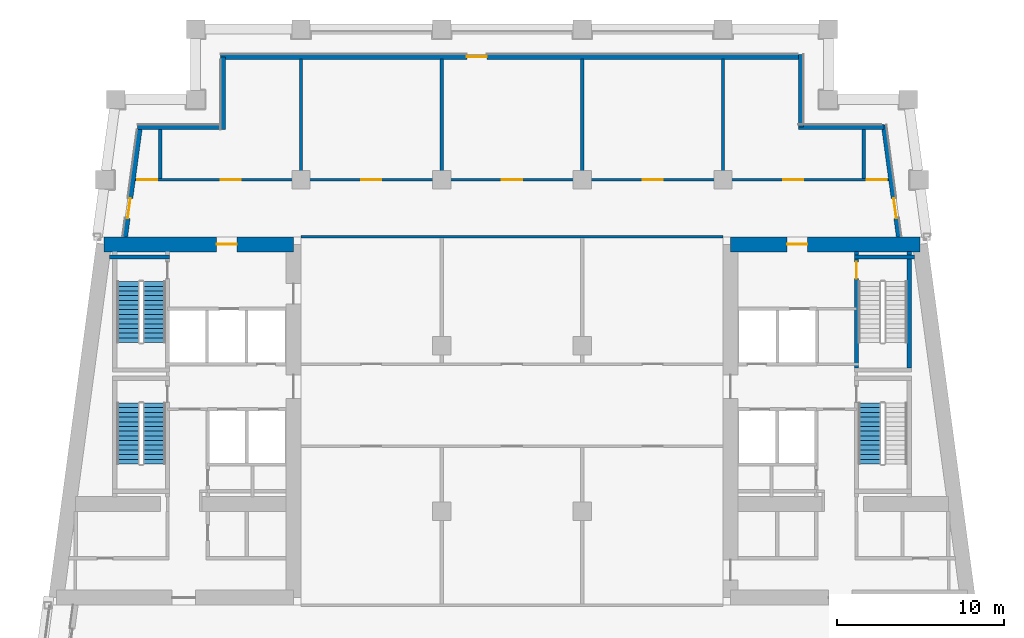
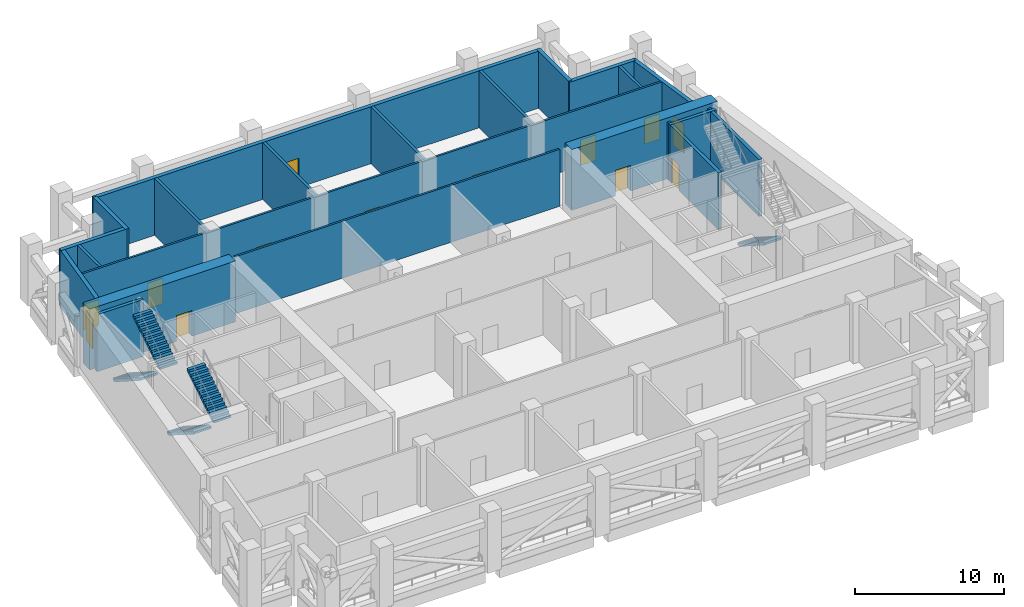
# One storey, part 7 of 12: 21 walls, 13 doors, 5 stair flights, 13 openings, 3 elements without a shape of their own.
"""IFC4 building model written with IfcOpenShell, lengths in metres."""

from ifc_helpers import new_model, si_unit, direction, frame, frame_2d, origin, place, context, subcontext, project, spatial, polyline, rectangle, outline, extrude, material, layer, layer_set, type_object, element, fill, aggregate, save


model = new_model("IFC4")

# Units and contexts
model_context = context("Model", 3, precision=1e-05, world=origin(), true_north=direction((0.0, 1.0)))
body_context = subcontext(model_context, "Body", "Model", "MODEL_VIEW")
ifc_project = project(units=[si_unit("LENGTHUNIT", "METRE"), si_unit("AREAUNIT", "SQUARE_METRE"), si_unit("VOLUMEUNIT", "CUBIC_METRE"), si_unit("PLANEANGLEUNIT", "RADIAN"), si_unit("MASSUNIT", "GRAM", prefix="KILO")], contexts=[model_context])

# Site, building, storey
site_placement = place(None, origin())
site = spatial("IfcSite", under=ifc_project, at=site_placement, CompositionType="ELEMENT")
building_placement = place(site_placement, origin())
building = spatial("IfcBuilding", under=site, at=building_placement, Name="Candeia Pilgrim Tower and Theatre", CompositionType="ELEMENT")
storey_placement = place(building_placement, frame((0.0, 0.0, 197.199951171875)))
storey = spatial("IfcBuildingStorey", under=building, at=storey_placement, Name="L47", CompositionType="ELEMENT", Elevation=197.199951171875)

# Wall, opening, door
ifc_material_1 = material(Name="Concrete C60/75", Category="concrete")
ifc_layer_1 = layer(ifc_material_1, 0.89990234375)
ifc_layer_set_1 = layer_set([ifc_layer_1], Name="Core wall 900 C60/75")
wall_type_1 = type_object("IfcWallType", Name="Core wall 900 C60/75", PredefinedType="SHEAR", material=ifc_layer_set_1)
wall_1_placement = place(storey_placement, frame((89.024169921875, 131.949951171875, 0.0), z_axis=(0.0, 0.0, 1.0), x_axis=(1.0, 0.0, 0.0)))
wall_1 = element("IfcWall", 1, at=wall_1_placement, inside=storey, type_object=wall_type_1, Name="Core wall W1", PredefinedType="SHEAR", context=body_context, shape_type="SweptSolid", body=[
    extrude(rectangle(XDim=11.325927734375, YDim=0.89990234375, at=frame_2d((5.6630859375, 0.0))), origin(), (0.0, 0.0, 1.0), 5.0),
])
opening_1_placement = place(wall_1_placement, frame((6.7392578125, 0.0, 0.0)))
opening_1 = element("IfcOpeningElement", 2, at=opening_1_placement, cuts=wall_1, Name="Opening L47-D035", PredefinedType="OPENING", context=body_context, shape_type="SweptSolid", body=[
    extrude(rectangle(XDim=1.199951171875, YDim=2.10009765625, at=frame_2d((0.60009765625, 1.050048828125))), frame((0.0, 0.4599609375, 0.0), z_axis=(0.0, -1.0, 0.0), x_axis=(1.0, 0.0, 0.0)), (0.0, 0.0, 1.0), 0.919921875),
])
ifc_material_2 = material(Name="Steel fire door set", Category="steel")
door_type_1 = type_object("IfcDoorType", Name="D-1200-FD60", OperationType="NOTDEFINED", PredefinedType="DOOR", material=ifc_material_2)
door_1_placement = place(opening_1_placement, origin())
door_1 = element("IfcDoor", 3, at=door_1_placement, inside=storey, type_object=door_type_1, Name="Door L47-D035", OperationType="SINGLE_SWING_RIGHT", OverallHeight=2.10009765625, OverallWidth=1.199951171875, PredefinedType="DOOR", context=body_context, shape_type="SweptSolid", body=[
    extrude(rectangle(XDim=1.199951171875, YDim=2.10009765625, at=frame_2d((0.60009765625, 1.050048828125))), frame((0.0, 0.02490234375, 0.0), z_axis=(0.0, -1.0, 0.0), x_axis=(1.0, 0.0, 0.0)), (0.0, 0.0, 1.0), 0.050048828125),
])
fill(opening_1, door_1)

wall_2_placement = place(storey_placement, frame((126.449951171875, 131.949951171875, 0.0), z_axis=(0.0, 0.0, 1.0), x_axis=(1.0, 0.0, 0.0)))
wall_2 = element("IfcWall", 4, at=wall_2_placement, inside=storey, type_object=wall_type_1, Name="Core wall E1", PredefinedType="SHEAR", context=body_context, shape_type="SweptSolid", body=[
    extrude(rectangle(XDim=11.32568359375, YDim=0.89990234375, at=frame_2d((5.662841796875, 0.0))), origin(), (0.0, 0.0, 1.0), 5.0),
])
opening_2_placement = place(wall_2_placement, frame((3.386474609375, 0.0, 0.0)))
opening_2 = element("IfcOpeningElement", 5, at=opening_2_placement, cuts=wall_2, Name="Opening L47-D038", PredefinedType="OPENING", context=body_context, shape_type="SweptSolid", body=[
    extrude(rectangle(XDim=1.199951171875, YDim=2.10009765625, at=frame_2d((0.60009765625, 1.050048828125))), frame((0.0, 0.4599609375, 0.0), z_axis=(0.0, -1.0, 0.0), x_axis=(1.0, 0.0, 0.0)), (0.0, 0.0, 1.0), 0.919921875),
])
door_2_placement = place(opening_2_placement, origin())
door_2 = element("IfcDoor", 6, at=door_2_placement, inside=storey, type_object=door_type_1, Name="Door L47-D038", OperationType="SINGLE_SWING_LEFT", OverallHeight=2.10009765625, OverallWidth=1.199951171875, PredefinedType="DOOR", context=body_context, shape_type="SweptSolid", body=[
    extrude(rectangle(XDim=1.199951171875, YDim=2.10009765625, at=frame_2d((0.60009765625, 1.050048828125))), frame((0.0, 0.02490234375, 0.0), z_axis=(0.0, -1.0, 0.0), x_axis=(1.0, 0.0, 0.0)), (0.0, 0.0, 1.0), 0.050048828125),
])
fill(opening_2, door_2)

ifc_material_3 = material(Name="Ceramic block masonry", Category="masonry")
ifc_layer_2 = layer(ifc_material_3, 0.300048828125)
ifc_layer_set_2 = layer_set([ifc_layer_2], Name="EW1 glazing-line wall 300")
wall_type_2 = type_object("IfcWallType", Name="EW1 glazing-line wall 300", PredefinedType="SOLIDWALL", material=ifc_layer_set_2)
wall_3_placement = place(storey_placement, frame((136.50439453125, 132.39990234375, 0.0), z_axis=(0.0, 0.0, 1.0), x_axis=(-0.133399697462, 0.99106231929, 0.0)))
wall_3 = element("IfcWall", 7, at=wall_3_placement, inside=storey, type_object=wall_type_2, Name="External wall L47-3.1", PredefinedType="SOLIDWALL", context=body_context, shape_type="SweptSolid", body=[
    extrude(rectangle(XDim=6.740478515625, YDim=0.300048828125, at=frame_2d((3.3701171875, 0.0))), origin(), (0.0, 0.0, 1.0), 4.679931640625),
])
opening_3_placement = place(wall_3_placement, frame((1.115234375, 0.0, 0.0)))
opening_3 = element("IfcOpeningElement", 8, at=opening_3_placement, cuts=wall_3, Name="Opening L47-ED446", PredefinedType="OPENING", context=body_context, shape_type="SweptSolid", body=[
    extrude(rectangle(XDim=1.199951171875, YDim=2.39990234375, at=frame_2d((0.60009765625, 1.199951171875))), frame((0.0, 0.16015625, 0.0), z_axis=(0.0, -1.0, 0.0), x_axis=(1.0, 0.0, 0.0)), (0.0, 0.0, 1.0), 0.320068359375),
])
ifc_material_4 = material(Name="Aluminium framed glazed door", Category="aluminium")
door_type_2 = type_object("IfcDoorType", Name="Loggia door 1200x2400", OperationType="DOUBLE_DOOR_SINGLE_SWING", PredefinedType="DOOR", material=ifc_material_4)
door_3_placement = place(opening_3_placement, origin())
door_3 = element("IfcDoor", 9, at=door_3_placement, inside=storey, type_object=door_type_2, Name="Loggia door L47-ED446", OperationType="DOUBLE_DOOR_SINGLE_SWING", OverallHeight=2.39990234375, OverallWidth=1.199951171875, PredefinedType="DOOR", context=body_context, shape_type="SweptSolid", body=[
    extrude(rectangle(XDim=1.199951171875, YDim=2.39990234375, at=frame_2d((0.60009765625, 1.199951171875))), frame((0.0, 0.02490234375, 0.0), z_axis=(0.0, -1.0, 0.0), x_axis=(1.0, 0.0, 0.0)), (0.0, 0.0, 1.0), 0.050048828125),
])
fill(opening_3, door_3)

# Walls
wall_4_placement = place(storey_placement, frame((135.62255859375, 138.949951171875, 0.0), z_axis=(0.0, 0.0, 1.0), x_axis=(-1.0, 0.0, 0.0)))
element("IfcWall", 10, at=wall_4_placement, inside=storey, type_object=wall_type_2, Name="External wall L47-4.0", PredefinedType="SOLIDWALL", context=body_context, shape_type="SweptSolid", body=[
    extrude(rectangle(XDim=5.12255859375, YDim=0.300048828125, at=frame_2d((2.561279296875, 0.0))), origin(), (0.0, 0.0, 1.0), 4.679931640625),
])
wall_5_placement = place(storey_placement, frame((130.64990234375, 138.949951171875, 0.0), z_axis=(0.0, 0.0, 1.0), x_axis=(0.0, 1.0, 0.0)))
element("IfcWall", 11, at=wall_5_placement, inside=storey, type_object=wall_type_2, Name="External wall L47-5.0", PredefinedType="SOLIDWALL", context=body_context, shape_type="SweptSolid", body=[
    extrude(rectangle(XDim=4.35009765625, YDim=0.300048828125, at=frame_2d((2.175048828125, 0.0))), origin(), (0.0, 0.0, 1.0), 4.679931640625),
])

# Wall, opening, door
wall_6_placement = place(storey_placement, frame((130.64990234375, 143.14990234375, 0.0), z_axis=(0.0, 0.0, 1.0), x_axis=(-1.0, 0.0, 0.0)))
wall_6 = element("IfcWall", 12, at=wall_6_placement, inside=storey, type_object=wall_type_2, Name="External wall L47-6.0", PredefinedType="SOLIDWALL", context=body_context, shape_type="SweptSolid", body=[
    extrude(rectangle(XDim=34.64990234375, YDim=0.300048828125, at=frame_2d((17.324951171875, 0.0))), origin(), (0.0, 0.0, 1.0), 4.679931640625),
])
opening_4_placement = place(wall_6_placement, frame((18.75, 0.0, 0.0)))
opening_4 = element("IfcOpeningElement", 13, at=opening_4_placement, cuts=wall_6, Name="Opening L47-ED447", PredefinedType="OPENING", context=body_context, shape_type="SweptSolid", body=[
    extrude(rectangle(XDim=1.199951171875, YDim=2.39990234375, at=frame_2d((0.60009765625, 1.199951171875))), frame((0.0, 0.16015625, 0.0), z_axis=(0.0, -1.0, 0.0), x_axis=(1.0, 0.0, 0.0)), (0.0, 0.0, 1.0), 0.320068359375),
])
door_4_placement = place(opening_4_placement, origin())
door_4 = element("IfcDoor", 14, at=door_4_placement, inside=storey, type_object=door_type_2, Name="Loggia door L47-ED447", OperationType="DOUBLE_DOOR_SINGLE_SWING", OverallHeight=2.39990234375, OverallWidth=1.199951171875, PredefinedType="DOOR", context=body_context, shape_type="SweptSolid", body=[
    extrude(rectangle(XDim=1.199951171875, YDim=2.39990234375, at=frame_2d((0.60009765625, 1.199951171875))), frame((0.0, 0.02490234375, 0.0), z_axis=(0.0, -1.0, 0.0), x_axis=(1.0, 0.0, 0.0)), (0.0, 0.0, 1.0), 0.050048828125),
])
fill(opening_4, door_4)

# Walls
wall_7_placement = place(storey_placement, frame((96.14990234375, 143.14990234375, 0.0), z_axis=(0.0, 0.0, 1.0), x_axis=(0.0, -1.0, 0.0)))
element("IfcWall", 15, at=wall_7_placement, inside=storey, type_object=wall_type_2, Name="External wall L47-7.0", PredefinedType="SOLIDWALL", context=body_context, shape_type="SweptSolid", body=[
    extrude(rectangle(XDim=4.349853515625, YDim=0.300048828125, at=frame_2d((2.1748046875, 0.0))), origin(), (0.0, 0.0, 1.0), 4.679931640625),
])
wall_8_placement = place(storey_placement, frame((96.14990234375, 138.949951171875, 0.0), z_axis=(0.0, 0.0, 1.0), x_axis=(-1.0, 0.0, 0.0)))
element("IfcWall", 16, at=wall_8_placement, inside=storey, type_object=wall_type_2, Name="External wall L47-8.0", PredefinedType="SOLIDWALL", context=body_context, shape_type="SweptSolid", body=[
    extrude(rectangle(XDim=5.103759765625, YDim=0.300048828125, at=frame_2d((2.5517578125, 0.0))), origin(), (0.0, 0.0, 1.0), 4.679931640625),
])

# Wall, opening, door
wall_9_placement = place(storey_placement, frame((91.177490234375, 138.949951171875, 0.0), z_axis=(0.0, 0.0, 1.0), x_axis=(-0.133426664613, -0.991058689065, 0.0)))
wall_9 = element("IfcWall", 17, at=wall_9_placement, inside=storey, type_object=wall_type_2, Name="External wall L47-9.0", PredefinedType="SOLIDWALL", context=body_context, shape_type="SweptSolid", body=[
    extrude(rectangle(XDim=6.609130859375, YDim=0.300048828125, at=frame_2d((3.3046875, 0.0))), origin(), (0.0, 0.0, 1.0), 4.679931640625),
])
opening_5_placement = place(wall_9_placement, frame((4.293701171875, 0.0, 0.0)))
opening_5 = element("IfcOpeningElement", 18, at=opening_5_placement, cuts=wall_9, Name="Opening L47-ED448", PredefinedType="OPENING", context=body_context, shape_type="SweptSolid", body=[
    extrude(rectangle(XDim=1.199951171875, YDim=2.39990234375, at=frame_2d((0.60009765625, 1.199951171875))), frame((0.0, 0.16015625, 0.0), z_axis=(0.0, -1.0, 0.0), x_axis=(1.0, 0.0, 0.0)), (0.0, 0.0, 1.0), 0.320068359375),
])
door_5_placement = place(opening_5_placement, origin())
door_5 = element("IfcDoor", 19, at=door_5_placement, inside=storey, type_object=door_type_2, Name="Loggia door L47-ED448", OperationType="DOUBLE_DOOR_SINGLE_SWING", OverallHeight=2.39990234375, OverallWidth=1.199951171875, PredefinedType="DOOR", context=body_context, shape_type="SweptSolid", body=[
    extrude(rectangle(XDim=1.199951171875, YDim=2.39990234375, at=frame_2d((0.60009765625, 1.199951171875))), frame((0.0, 0.02490234375, 0.0), z_axis=(0.0, -1.0, 0.0), x_axis=(1.0, 0.0, 0.0)), (0.0, 0.0, 1.0), 0.050048828125),
])
fill(opening_5, door_5)

# Wall
ifc_material_5 = material(Name="Gypsum board partition on steel studs", Category="steel")
ifc_layer_3 = layer(ifc_material_5, 0.14990234375)
ifc_layer_set_3 = layer_set([ifc_layer_3], Name="PW-150 unit wall")
wall_type_3 = type_object("IfcWallType", Name="PW-150 unit wall", PredefinedType="PARTITIONING", material=ifc_layer_set_3)
wall_10_placement = place(storey_placement, frame((100.800048828125, 132.39990234375, 0.0), z_axis=(0.0, 0.0, 1.0), x_axis=(1.0, 0.0, 0.0)))
element("IfcWall", 20, at=wall_10_placement, inside=storey, type_object=wall_type_3, Name="Unit wall L47-033", PredefinedType="PARTITIONING", context=body_context, shape_type="SweptSolid", body=[
    extrude(rectangle(XDim=25.199951171875, YDim=0.14990234375, at=frame_2d((12.60009765625, 0.0))), origin(), (0.0, 0.0, 1.0), 4.679931640625),
])

# Wall, openings, doors
wall_11_placement = place(storey_placement, frame((90.89453125, 135.800048828125, 0.0), z_axis=(0.0, 0.0, 1.0), x_axis=(1.0, 0.0, 0.0)))
wall_11 = element("IfcWall", 21, at=wall_11_placement, inside=storey, type_object=wall_type_3, Name="Unit wall L47-034", PredefinedType="PARTITIONING", context=body_context, shape_type="SweptSolid", body=[
    extrude(rectangle(XDim=45.010986328125, YDim=0.14990234375, at=frame_2d((22.50537109375, 0.0))), origin(), (0.0, 0.0, 1.0), 4.679931640625),
])
opening_6_placement = place(wall_11_placement, frame((0.1298828125, 0.0, 0.0)))
opening_6 = element("IfcOpeningElement", 22, at=opening_6_placement, cuts=wall_11, Name="Opening L47-D002", PredefinedType="OPENING", context=body_context, shape_type="SweptSolid", body=[
    extrude(rectangle(XDim=1.199951171875, YDim=2.10009765625, at=frame_2d((0.60009765625, 1.050048828125))), frame((0.0, 0.0849609375, 0.0), z_axis=(0.0, -1.0, 0.0), x_axis=(1.0, 0.0, 0.0)), (0.0, 0.0, 1.0), 0.169921875),
])
opening_7_placement = place(wall_11_placement, frame((5.10546875, 0.0, 0.0)))
opening_7 = element("IfcOpeningElement", 23, at=opening_7_placement, cuts=wall_11, Name="Opening L47-D004", PredefinedType="OPENING", context=body_context, shape_type="SweptSolid", body=[
    extrude(rectangle(XDim=1.199951171875, YDim=2.10009765625, at=frame_2d((0.60009765625, 1.050048828125))), frame((0.0, 0.0849609375, 0.0), z_axis=(0.0, -1.0, 0.0), x_axis=(1.0, 0.0, 0.0)), (0.0, 0.0, 1.0), 0.169921875),
])
opening_8_placement = place(wall_11_placement, frame((13.50537109375, 0.0, 0.0)))
opening_8 = element("IfcOpeningElement", 24, at=opening_8_placement, cuts=wall_11, Name="Opening L47-D006", PredefinedType="OPENING", context=body_context, shape_type="SweptSolid", body=[
    extrude(rectangle(XDim=1.199951171875, YDim=2.10009765625, at=frame_2d((0.60009765625, 1.050048828125))), frame((0.0, 0.0849609375, 0.0), z_axis=(0.0, -1.0, 0.0), x_axis=(1.0, 0.0, 0.0)), (0.0, 0.0, 1.0), 0.169921875),
])
opening_9_placement = place(wall_11_placement, frame((21.905517578125, 0.0, 0.0)))
opening_9 = element("IfcOpeningElement", 25, at=opening_9_placement, cuts=wall_11, Name="Opening L47-D008", PredefinedType="OPENING", context=body_context, shape_type="SweptSolid", body=[
    extrude(rectangle(XDim=1.199951171875, YDim=2.10009765625, at=frame_2d((0.60009765625, 1.050048828125))), frame((0.0, 0.0849609375, 0.0), z_axis=(0.0, -1.0, 0.0), x_axis=(1.0, 0.0, 0.0)), (0.0, 0.0, 1.0), 0.169921875),
])
opening_10_placement = place(wall_11_placement, frame((30.305419921875, 0.0, 0.0)))
opening_10 = element("IfcOpeningElement", 26, at=opening_10_placement, cuts=wall_11, Name="Opening L47-D010", PredefinedType="OPENING", context=body_context, shape_type="SweptSolid", body=[
    extrude(rectangle(XDim=1.199951171875, YDim=2.10009765625, at=frame_2d((0.60009765625, 1.050048828125))), frame((0.0, 0.0849609375, 0.0), z_axis=(0.0, -1.0, 0.0), x_axis=(1.0, 0.0, 0.0)), (0.0, 0.0, 1.0), 0.169921875),
])
opening_11_placement = place(wall_11_placement, frame((38.705322265625, 0.0, 0.0)))
opening_11 = element("IfcOpeningElement", 27, at=opening_11_placement, cuts=wall_11, Name="Opening L47-D012", PredefinedType="OPENING", context=body_context, shape_type="SweptSolid", body=[
    extrude(rectangle(XDim=1.199951171875, YDim=2.10009765625, at=frame_2d((0.60009765625, 1.050048828125))), frame((0.0, 0.0849609375, 0.0), z_axis=(0.0, -1.0, 0.0), x_axis=(1.0, 0.0, 0.0)), (0.0, 0.0, 1.0), 0.169921875),
])
opening_12_placement = place(wall_11_placement, frame((43.680908203125, 0.0, 0.0)))
opening_12 = element("IfcOpeningElement", 28, at=opening_12_placement, cuts=wall_11, Name="Opening L47-D014", PredefinedType="OPENING", context=body_context, shape_type="SweptSolid", body=[
    extrude(rectangle(XDim=1.199951171875, YDim=2.10009765625, at=frame_2d((0.60009765625, 1.050048828125))), frame((0.0, 0.0849609375, 0.0), z_axis=(0.0, -1.0, 0.0), x_axis=(1.0, 0.0, 0.0)), (0.0, 0.0, 1.0), 0.169921875),
])
door_6_placement = place(opening_6_placement, origin())
door_6 = element("IfcDoor", 29, at=door_6_placement, inside=storey, type_object=door_type_1, Name="Door L47-D002", OperationType="SINGLE_SWING_LEFT", OverallHeight=2.10009765625, OverallWidth=1.199951171875, PredefinedType="DOOR", context=body_context, shape_type="SweptSolid", body=[
    extrude(rectangle(XDim=1.199951171875, YDim=2.10009765625, at=frame_2d((0.60009765625, 1.050048828125))), frame((0.0, 0.02490234375, 0.0), z_axis=(0.0, -1.0, 0.0), x_axis=(1.0, 0.0, 0.0)), (0.0, 0.0, 1.0), 0.050048828125),
])
fill(opening_6, door_6)
door_7_placement = place(opening_7_placement, origin())
door_7 = element("IfcDoor", 30, at=door_7_placement, inside=storey, type_object=door_type_1, Name="Door L47-D004", OperationType="SINGLE_SWING_LEFT", OverallHeight=2.10009765625, OverallWidth=1.199951171875, PredefinedType="DOOR", context=body_context, shape_type="SweptSolid", body=[
    extrude(rectangle(XDim=1.199951171875, YDim=2.10009765625, at=frame_2d((0.60009765625, 1.050048828125))), frame((0.0, 0.02490234375, 0.0), z_axis=(0.0, -1.0, 0.0), x_axis=(1.0, 0.0, 0.0)), (0.0, 0.0, 1.0), 0.050048828125),
])
fill(opening_7, door_7)
door_8_placement = place(opening_8_placement, origin())
door_8 = element("IfcDoor", 31, at=door_8_placement, inside=storey, type_object=door_type_1, Name="Door L47-D006", OperationType="SINGLE_SWING_LEFT", OverallHeight=2.10009765625, OverallWidth=1.199951171875, PredefinedType="DOOR", context=body_context, shape_type="SweptSolid", body=[
    extrude(rectangle(XDim=1.199951171875, YDim=2.10009765625, at=frame_2d((0.60009765625, 1.050048828125))), frame((0.0, 0.02490234375, 0.0), z_axis=(0.0, -1.0, 0.0), x_axis=(1.0, 0.0, 0.0)), (0.0, 0.0, 1.0), 0.050048828125),
])
fill(opening_8, door_8)
door_9_placement = place(opening_9_placement, origin())
door_9 = element("IfcDoor", 32, at=door_9_placement, inside=storey, type_object=door_type_1, Name="Door L47-D008", OperationType="SINGLE_SWING_LEFT", OverallHeight=2.10009765625, OverallWidth=1.199951171875, PredefinedType="DOOR", context=body_context, shape_type="SweptSolid", body=[
    extrude(rectangle(XDim=1.199951171875, YDim=2.10009765625, at=frame_2d((0.60009765625, 1.050048828125))), frame((0.0, 0.02490234375, 0.0), z_axis=(0.0, -1.0, 0.0), x_axis=(1.0, 0.0, 0.0)), (0.0, 0.0, 1.0), 0.050048828125),
])
fill(opening_9, door_9)
door_10_placement = place(opening_10_placement, origin())
door_10 = element("IfcDoor", 33, at=door_10_placement, inside=storey, type_object=door_type_1, Name="Door L47-D010", OperationType="SINGLE_SWING_LEFT", OverallHeight=2.10009765625, OverallWidth=1.199951171875, PredefinedType="DOOR", context=body_context, shape_type="SweptSolid", body=[
    extrude(rectangle(XDim=1.199951171875, YDim=2.10009765625, at=frame_2d((0.60009765625, 1.050048828125))), frame((0.0, 0.02490234375, 0.0), z_axis=(0.0, -1.0, 0.0), x_axis=(1.0, 0.0, 0.0)), (0.0, 0.0, 1.0), 0.050048828125),
])
fill(opening_10, door_10)
door_11_placement = place(opening_11_placement, origin())
door_11 = element("IfcDoor", 34, at=door_11_placement, inside=storey, type_object=door_type_1, Name="Door L47-D012", OperationType="SINGLE_SWING_LEFT", OverallHeight=2.10009765625, OverallWidth=1.199951171875, PredefinedType="DOOR", context=body_context, shape_type="SweptSolid", body=[
    extrude(rectangle(XDim=1.199951171875, YDim=2.10009765625, at=frame_2d((0.60009765625, 1.050048828125))), frame((0.0, 0.02490234375, 0.0), z_axis=(0.0, -1.0, 0.0), x_axis=(1.0, 0.0, 0.0)), (0.0, 0.0, 1.0), 0.050048828125),
])
fill(opening_11, door_11)
door_12_placement = place(opening_12_placement, origin())
door_12 = element("IfcDoor", 35, at=door_12_placement, inside=storey, type_object=door_type_1, Name="Door L47-D014", OperationType="SINGLE_SWING_LEFT", OverallHeight=2.10009765625, OverallWidth=1.199951171875, PredefinedType="DOOR", context=body_context, shape_type="SweptSolid", body=[
    extrude(rectangle(XDim=1.199951171875, YDim=2.10009765625, at=frame_2d((0.60009765625, 1.050048828125))), frame((0.0, 0.02490234375, 0.0), z_axis=(0.0, -1.0, 0.0), x_axis=(1.0, 0.0, 0.0)), (0.0, 0.0, 1.0), 0.050048828125),
])
fill(opening_12, door_12)

# Walls
ifc_layer_4 = layer(ifc_material_5, 0.199951171875)
ifc_layer_set_4 = layer_set([ifc_layer_4], Name="PW-200 party wall")
wall_type_4 = type_object("IfcWallType", Name="PW-200 party wall", PredefinedType="PARTITIONING", material=ifc_layer_set_4)
wall_12_placement = place(storey_placement, frame((92.39990234375, 135.875, 0.0), z_axis=(0.0, 0.0, 1.0), x_axis=(0.0, 1.0, 0.0)))
element("IfcWall", 36, at=wall_12_placement, inside=storey, type_object=wall_type_4, Name="Party wall L47-040", PredefinedType="PARTITIONING", context=body_context, shape_type="SweptSolid", body=[
    extrude(rectangle(XDim=2.93505859375, YDim=0.199951171875, at=frame_2d((1.467529296875, 0.0))), origin(), (0.0, 0.0, 1.0), 4.679931640625),
])
for number, where, z_axis, x_axis, name in (
    (37, (100.800048828125, 135.875, 0.0), (0.0, 0.0, 1.0), (0.0, 1.0, 0.0), "Party wall L47-055"),
    (38, (109.199951171875, 135.875, 0.0), (0.0, 0.0, 1.0), (0.0, 1.0, 0.0), "Party wall L47-059"),
    (39, (117.60009765625, 135.875, 0.0), (0.0, 0.0, 1.0), (0.0, 1.0, 0.0), "Party wall L47-063"),
    (40, (126.0, 135.875, 0.0), (0.0, 0.0, 1.0), (0.0, 1.0, 0.0), "Party wall L47-065"),
):
    element("IfcWall", number, at=place(storey_placement, frame(where, z_axis=z_axis, x_axis=x_axis)), inside=storey, type_object=wall_type_4, Name=name, PredefinedType="PARTITIONING", context=body_context, shape_type="SweptSolid", body=[
        extrude(rectangle(XDim=7.135009765625, YDim=0.199951171875, at=frame_2d((3.5673828125, 0.0))), origin(), (0.0, 0.0, 1.0), 4.679931640625),
    ])
wall_13_placement = place(storey_placement, frame((134.39990234375, 135.875, 0.0), z_axis=(0.0, 0.0, 1.0), x_axis=(0.0, 1.0, 0.0)))
element("IfcWall", 41, at=wall_13_placement, inside=storey, type_object=wall_type_4, Name="Party wall L47-080", PredefinedType="PARTITIONING", context=body_context, shape_type="SweptSolid", body=[
    extrude(rectangle(XDim=2.93505859375, YDim=0.199951171875, at=frame_2d((1.467529296875, 0.0))), origin(), (0.0, 0.0, 1.0), 4.679931640625),
])
ifc_material_6 = material(Name="Concrete C40/50", Category="concrete")
ifc_layer_5 = layer(ifc_material_6, 0.25)
ifc_layer_set_5 = layer_set([ifc_layer_5], Name="SW-250 stair wall")
wall_type_5 = type_object("IfcWallType", Name="SW-250 stair wall", PredefinedType="PARTITIONING", material=ifc_layer_set_5)
wall_14_placement = place(storey_placement, frame((89.347412109375, 131.199951171875, 0.0), z_axis=(0.0, 0.0, 1.0), x_axis=(1.0, 0.0, 0.0)))
element("IfcWall", 42, at=wall_14_placement, inside=storey, type_object=wall_type_5, Name="Stair wall L47-031", PredefinedType="PARTITIONING", context=body_context, shape_type="SweptSolid", body=[
    extrude(rectangle(XDim=3.6044921875, YDim=0.25, at=frame_2d((1.80224609375, 0.0))), origin(), (0.0, 0.0, 1.0), 4.679931640625),
])
wall_15_placement = place(storey_placement, frame((133.847900390625, 131.199951171875, 0.0), z_axis=(0.0, 0.0, 1.0), x_axis=(1.0, 0.0, 0.0)))
element("IfcWall", 43, at=wall_15_placement, inside=storey, type_object=wall_type_5, Name="Stair wall L47-032", PredefinedType="PARTITIONING", context=body_context, shape_type="SweptSolid", body=[
    extrude(rectangle(XDim=3.604736328125, YDim=0.25, at=frame_2d((1.80224609375, 0.0))), origin(), (0.0, 0.0, 1.0), 4.679931640625),
])

# Wall, opening, door
wall_16_placement = place(storey_placement, frame((133.972900390625, 124.574951171875, 0.0), z_axis=(0.0, 0.0, 1.0), x_axis=(0.0, 1.0, 0.0)))
wall_16 = element("IfcWall", 44, at=wall_16_placement, inside=storey, type_object=wall_type_5, Name="Stair wall L47-078", PredefinedType="PARTITIONING", context=body_context, shape_type="SweptSolid", body=[
    extrude(rectangle(XDim=6.955078125, YDim=0.25, at=frame_2d((3.4775390625, 0.0))), origin(), (0.0, 0.0, 1.0), 4.679931640625),
])
opening_13_placement = place(wall_16_placement, frame((5.324951171875, 0.0, 0.0)))
opening_13 = element("IfcOpeningElement", 45, at=opening_13_placement, cuts=wall_16, Name="Opening L47-D029", PredefinedType="OPENING", context=body_context, shape_type="SweptSolid", body=[
    extrude(rectangle(XDim=1.0, YDim=2.10009765625, at=frame_2d((0.5, 1.050048828125))), frame((0.0, 0.135009765625, 0.0), z_axis=(0.0, -1.0, 0.0), x_axis=(1.0, 0.0, 0.0)), (0.0, 0.0, 1.0), 0.27001953125),
])
door_type_3 = type_object("IfcDoorType", Name="D-1000-FD60", OperationType="NOTDEFINED", PredefinedType="DOOR", material=ifc_material_2)
door_13_placement = place(opening_13_placement, origin())
door_13 = element("IfcDoor", 46, at=door_13_placement, inside=storey, type_object=door_type_3, Name="Door L47-D029", OperationType="SINGLE_SWING_RIGHT", OverallHeight=2.10009765625, OverallWidth=1.0, PredefinedType="DOOR", context=body_context, shape_type="SweptSolid", body=[
    extrude(rectangle(XDim=1.0, YDim=2.10009765625, at=frame_2d((0.5, 1.050048828125))), frame((0.0, 0.02490234375, 0.0), z_axis=(0.0, -1.0, 0.0), x_axis=(1.0, 0.0, 0.0)), (0.0, 0.0, 1.0), 0.050048828125),
])
fill(opening_13, door_13)

# Wall
wall_17_placement = place(storey_placement, frame((137.123046875, 124.574951171875, 0.0), z_axis=(0.0, 0.0, 1.0), x_axis=(0.0, 1.0, 0.0)))
element("IfcWall", 47, at=wall_17_placement, inside=storey, type_object=wall_type_5, Name="Stair wall L47-083", PredefinedType="PARTITIONING", context=body_context, shape_type="SweptSolid", body=[
    extrude(rectangle(XDim=6.955078125, YDim=0.25, at=frame_2d((3.4775390625, 0.0))), origin(), (0.0, 0.0, 1.0), 4.679931640625),
])

# Stair, stair flights
stair_type = type_object("IfcStairType", Name="ST-TWR dog-leg escape stair", PredefinedType="HALF_TURN_STAIR", material=ifc_material_6)
stair_1_placement = place(storey_placement, origin())
stair_1 = element("IfcStair", 48, at=stair_1_placement, inside=storey, type_object=stair_type, Name="L47 Escape stair ST1", PredefinedType="HALF_TURN_STAIR")
stair_flight_type = type_object("IfcStairFlightType", Name="SFL-RC stair flight", PredefinedType="STRAIGHT", material=ifc_material_6)
stair_flight_1_placement = place(storey_placement, frame((90.47705078125, 122.47509765625, 0.0), z_axis=(0.0, 0.0, 1.0), x_axis=(0.0, -1.0, 0.0)))
stair_flight_1 = element("IfcStairFlight", 49, at=stair_flight_1_placement, type_object=stair_flight_type, Name="ST1 flight 1", NumberOfRisers=14, NumberOfTreads=13, PredefinedType="STRAIGHT", RiserHeight=0.178571429, TreadLength=0.28, context=body_context, shape_type="SweptSolid", body=[
    extrude(outline(polyline([(0.0, 0.0), (0.0, 0.178466796875), (0.280029296875, 0.178466796875), (0.280029296875, 0.357177734375), (0.56005859375, 0.357177734375), (0.56005859375, 0.53564453125), (0.840087890625, 0.53564453125), (0.840087890625, 0.71435546875), (1.1201171875, 0.71435546875), (1.1201171875, 0.892822265625), (1.39990234375, 0.892822265625), (1.39990234375, 1.071533203125), (1.679931640625, 1.071533203125), (1.679931640625, 1.25), (1.9599609375, 1.25), (1.9599609375, 1.428466796875), (2.239990234375, 1.428466796875), (2.239990234375, 1.607177734375), (2.52001953125, 1.607177734375), (2.52001953125, 1.78564453125), (2.800048828125, 1.78564453125), (2.800048828125, 1.96435546875), (3.080078125, 1.96435546875), (3.080078125, 2.142822265625), (3.360107421875, 2.142822265625), (3.360107421875, 2.321533203125), (3.639892578125, 2.321533203125), (3.639892578125, 2.5), (3.639892578125, 2.1435546875), (0.27880859375, 0.0), (0.0, 0.0)])), frame((0.0, 0.675048828125, 0.0), z_axis=(0.0, -1.0, 0.0), x_axis=(1.0, 0.0, 0.0)), (0.0, 0.0, 1.0), 1.35009765625),
])
stair_flight_2_placement = place(storey_placement, frame((92.027099609375, 118.8349609375, 2.5), z_axis=(0.0, 0.0, 1.0), x_axis=(0.0, 1.0, 0.0)))
stair_flight_2 = element("IfcStairFlight", 50, at=stair_flight_2_placement, type_object=stair_flight_type, Name="ST1 flight 2", NumberOfRisers=14, NumberOfTreads=13, PredefinedType="STRAIGHT", RiserHeight=0.178571429, TreadLength=0.28, context=body_context, shape_type="SweptSolid", body=[
    extrude(outline(polyline([(0.0, 0.0), (0.0, 0.178466796875), (0.280029296875, 0.178466796875), (0.280029296875, 0.357177734375), (0.56005859375, 0.357177734375), (0.56005859375, 0.53564453125), (0.840087890625, 0.53564453125), (0.840087890625, 0.71435546875), (1.1201171875, 0.71435546875), (1.1201171875, 0.892822265625), (1.39990234375, 0.892822265625), (1.39990234375, 1.071533203125), (1.679931640625, 1.071533203125), (1.679931640625, 1.25), (1.9599609375, 1.25), (1.9599609375, 1.428466796875), (2.239990234375, 1.428466796875), (2.239990234375, 1.607177734375), (2.52001953125, 1.607177734375), (2.52001953125, 1.78564453125), (2.800048828125, 1.78564453125), (2.800048828125, 1.96435546875), (3.080078125, 1.96435546875), (3.080078125, 2.142822265625), (3.360107421875, 2.142822265625), (3.360107421875, 2.321533203125), (3.639892578125, 2.321533203125), (3.639892578125, 2.5), (3.639892578125, 2.1435546875), (0.27880859375, 0.0), (0.0, 0.0)])), frame((0.0, 0.675048828125, 0.0), z_axis=(0.0, -1.0, 0.0), x_axis=(1.0, 0.0, 0.0)), (0.0, 0.0, 1.0), 1.35009765625),
])
aggregate(stair_1, [stair_flight_1, stair_flight_2])

stair_2_placement = place(storey_placement, origin())
stair_2 = element("IfcStair", 51, at=stair_2_placement, inside=storey, type_object=stair_type, Name="L47 Escape stair ST2", PredefinedType="HALF_TURN_STAIR")
stair_flight_3_placement = place(storey_placement, frame((90.47705078125, 129.72509765625, 0.0), z_axis=(0.0, 0.0, 1.0), x_axis=(0.0, -1.0, 0.0)))
stair_flight_3 = element("IfcStairFlight", 52, at=stair_flight_3_placement, type_object=stair_flight_type, Name="ST2 flight 1", NumberOfRisers=14, NumberOfTreads=13, PredefinedType="STRAIGHT", RiserHeight=0.178571429, TreadLength=0.28, context=body_context, shape_type="SweptSolid", body=[
    extrude(outline(polyline([(0.0, 0.0), (0.0, 0.178466796875), (0.280029296875, 0.178466796875), (0.280029296875, 0.357177734375), (0.56005859375, 0.357177734375), (0.56005859375, 0.53564453125), (0.840087890625, 0.53564453125), (0.840087890625, 0.71435546875), (1.1201171875, 0.71435546875), (1.1201171875, 0.892822265625), (1.39990234375, 0.892822265625), (1.39990234375, 1.071533203125), (1.679931640625, 1.071533203125), (1.679931640625, 1.25), (1.9599609375, 1.25), (1.9599609375, 1.428466796875), (2.239990234375, 1.428466796875), (2.239990234375, 1.607177734375), (2.52001953125, 1.607177734375), (2.52001953125, 1.78564453125), (2.800048828125, 1.78564453125), (2.800048828125, 1.96435546875), (3.080078125, 1.96435546875), (3.080078125, 2.142822265625), (3.360107421875, 2.142822265625), (3.360107421875, 2.321533203125), (3.639892578125, 2.321533203125), (3.639892578125, 2.5), (3.639892578125, 2.1435546875), (0.27880859375, 0.0), (0.0, 0.0)])), frame((0.0, 0.675048828125, 0.0), z_axis=(0.0, -1.0, 0.0), x_axis=(1.0, 0.0, 0.0)), (0.0, 0.0, 1.0), 1.35009765625),
])
stair_flight_4_placement = place(storey_placement, frame((92.027099609375, 126.0849609375, 2.5), z_axis=(0.0, 0.0, 1.0), x_axis=(0.0, 1.0, 0.0)))
stair_flight_4 = element("IfcStairFlight", 53, at=stair_flight_4_placement, type_object=stair_flight_type, Name="ST2 flight 2", NumberOfRisers=14, NumberOfTreads=13, PredefinedType="STRAIGHT", RiserHeight=0.178571429, TreadLength=0.28, context=body_context, shape_type="SweptSolid", body=[
    extrude(outline(polyline([(0.0, 0.0), (0.0, 0.178466796875), (0.280029296875, 0.178466796875), (0.280029296875, 0.357177734375), (0.56005859375, 0.357177734375), (0.56005859375, 0.53564453125), (0.840087890625, 0.53564453125), (0.840087890625, 0.71435546875), (1.1201171875, 0.71435546875), (1.1201171875, 0.892822265625), (1.39990234375, 0.892822265625), (1.39990234375, 1.071533203125), (1.679931640625, 1.071533203125), (1.679931640625, 1.25), (1.9599609375, 1.25), (1.9599609375, 1.428466796875), (2.239990234375, 1.428466796875), (2.239990234375, 1.607177734375), (2.52001953125, 1.607177734375), (2.52001953125, 1.78564453125), (2.800048828125, 1.78564453125), (2.800048828125, 1.96435546875), (3.080078125, 1.96435546875), (3.080078125, 2.142822265625), (3.360107421875, 2.142822265625), (3.360107421875, 2.321533203125), (3.639892578125, 2.321533203125), (3.639892578125, 2.5), (3.639892578125, 2.1435546875), (0.27880859375, 0.0), (0.0, 0.0)])), frame((0.0, 0.675048828125, 0.0), z_axis=(0.0, -1.0, 0.0), x_axis=(1.0, 0.0, 0.0)), (0.0, 0.0, 1.0), 1.35009765625),
])
aggregate(stair_2, [stair_flight_3, stair_flight_4])

# Stair, stair flight
stair_3_placement = place(storey_placement, origin())
stair_3 = element("IfcStair", 54, at=stair_3_placement, inside=storey, type_object=stair_type, Name="L47 Escape stair ST3", PredefinedType="HALF_TURN_STAIR")
stair_flight_5_placement = place(storey_placement, frame((134.77294921875, 122.47509765625, 0.0), z_axis=(0.0, 0.0, 1.0), x_axis=(0.0, -1.0, 0.0)))
stair_flight_5 = element("IfcStairFlight", 55, at=stair_flight_5_placement, type_object=stair_flight_type, Name="ST3 flight 1", NumberOfRisers=14, NumberOfTreads=13, PredefinedType="STRAIGHT", RiserHeight=0.178571429, TreadLength=0.28, context=body_context, shape_type="SweptSolid", body=[
    extrude(outline(polyline([(0.0, 0.0), (0.0, 0.178466796875), (0.280029296875, 0.178466796875), (0.280029296875, 0.357177734375), (0.56005859375, 0.357177734375), (0.56005859375, 0.53564453125), (0.840087890625, 0.53564453125), (0.840087890625, 0.71435546875), (1.1201171875, 0.71435546875), (1.1201171875, 0.892822265625), (1.39990234375, 0.892822265625), (1.39990234375, 1.071533203125), (1.679931640625, 1.071533203125), (1.679931640625, 1.25), (1.9599609375, 1.25), (1.9599609375, 1.428466796875), (2.239990234375, 1.428466796875), (2.239990234375, 1.607177734375), (2.52001953125, 1.607177734375), (2.52001953125, 1.78564453125), (2.800048828125, 1.78564453125), (2.800048828125, 1.96435546875), (3.080078125, 1.96435546875), (3.080078125, 2.142822265625), (3.360107421875, 2.142822265625), (3.360107421875, 2.321533203125), (3.639892578125, 2.321533203125), (3.639892578125, 2.5), (3.639892578125, 2.1435546875), (0.27880859375, 0.0), (0.0, 0.0)])), frame((0.0, 0.675048828125, 0.0), z_axis=(0.0, -1.0, 0.0), x_axis=(1.0, 0.0, 0.0)), (0.0, 0.0, 1.0), 1.35009765625),
])
aggregate(stair_3, [stair_flight_5])

save(model, "model.ifc")
